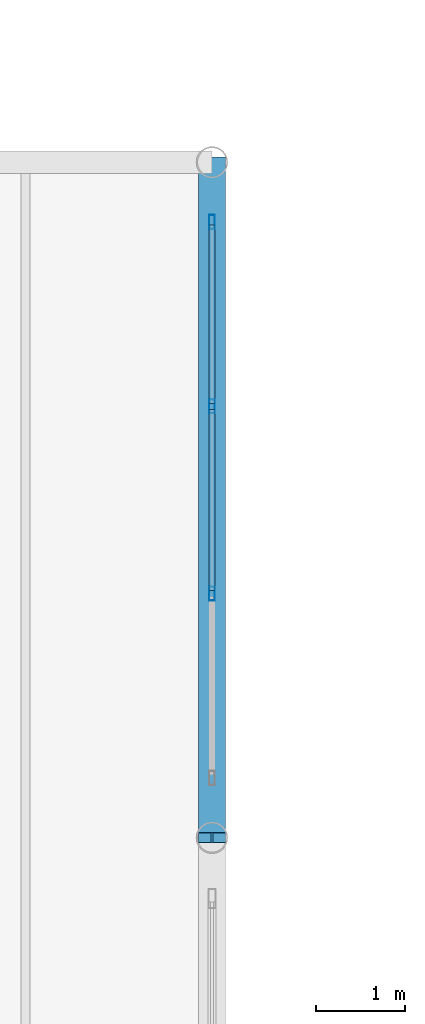
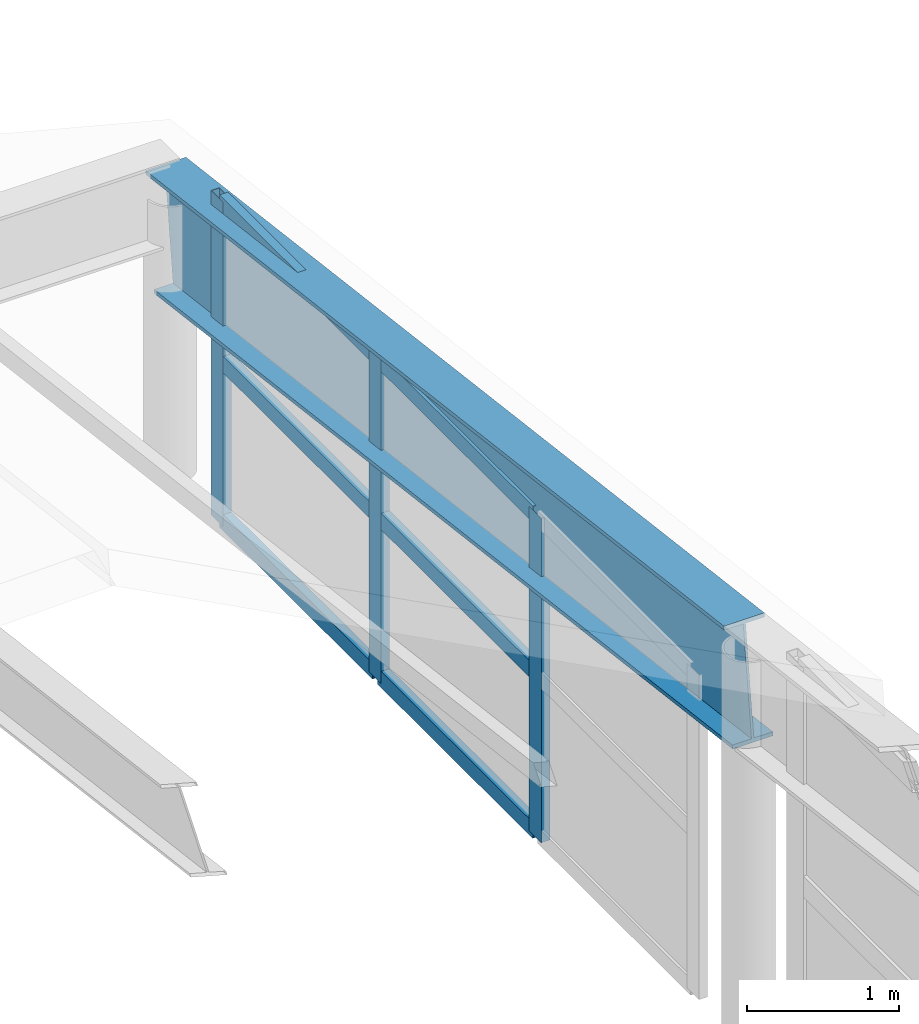
# One storey, part 9 of 14: 9 members, 1 beam, 1 element without a shape of its own.
"""IFC4 building model written with IfcOpenShell, lengths in metres."""

from ifc_helpers import new_model, si_unit, direction, frame, origin, origin_2d, place, context, subcontext, project, spatial, hollow_rectangle, i_section, extrude, material, layer, layer_set, material_profile, profile_set, type_object, element, aggregate, save


model = new_model("IFC4")

# Units and contexts
model_context = context("Model", 3, precision=1e-05, world=origin(), true_north=direction((0.0, 1.0)))
body_context = subcontext(model_context, "Body", "Model", "MODEL_VIEW")
ifc_project = project(units=[si_unit("LENGTHUNIT", "METRE"), si_unit("AREAUNIT", "SQUARE_METRE"), si_unit("VOLUMEUNIT", "CUBIC_METRE"), si_unit("PLANEANGLEUNIT", "RADIAN"), si_unit("MASSUNIT", "GRAM", prefix="KILO")], contexts=[model_context])

# Site, building, storey
site_placement = place(None, origin())
site = spatial("IfcSite", under=ifc_project, at=site_placement, CompositionType="ELEMENT")
building_placement = place(site_placement, origin())
building = spatial("IfcBuilding", under=site, at=building_placement, Name="Xicomal Pleat Aquarium", CompositionType="ELEMENT")
storey_placement = place(building_placement, frame((0.0, 0.0, 24.0)))
storey = spatial("IfcBuildingStorey", under=building, at=storey_placement, Name="RF", CompositionType="ELEMENT", Elevation=24.0)

# Beam
ifc_material_1 = material(Name="Structural steel A992 Gr 50", Category="steel")
ifc_material_profile_1 = material_profile(ifc_material_1, i_section(OverallWidth=0.306884765625, OverallDepth=0.923095703125, WebThickness=0.018310546875, FlangeThickness=0.030029296875, at=origin_2d()), Name="IR 920x271")
ifc_profile_set_1 = profile_set([ifc_material_profile_1], Name="Structural steel A992 Gr 50")
beam_type = type_object("IfcBeamType", Name="BM-STL-IR920", PredefinedType="BEAM", material=ifc_profile_set_1)
beam_placement = place(storey_placement, frame((35.39990234375, 30.39990234375, 2.904052734375), z_axis=(0.0, 0.992212029696, -0.124560379443), x_axis=(-1.0, 0.0, 0.0)))
element("IfcBeam", 1, at=beam_placement, inside=storey, type_object=beam_type, Name="RF pleated canopy girder 05-BCK2", PredefinedType="BEAM", context=body_context, shape_type="SweptSolid", body=[
    extrude(i_section(OverallWidth=0.306884765625, OverallDepth=0.923095703125, WebThickness=0.018310546875, FlangeThickness=0.030029296875, at=origin_2d()), origin(), (0.0, 0.0, 1.0), 7.65966796875),
])

# Curtain wall, members
ifc_material_2 = material(Name="Bronze anodized aluminium 6063-T6", Category="aluminium")
ifc_layer = layer(ifc_material_2, 0.159912109375)
ifc_layer_set = layer_set([ifc_layer], Name="Bronze anodized aluminium 6063-T6")
curtain_wall_type = type_object("IfcCurtainWallType", Name="CW-SYS-03", PredefinedType="NOTDEFINED", material=ifc_layer_set)
curtain_wall_placement = place(storey_placement, origin())
curtain_wall = element("IfcCurtainWall", 2, at=curtain_wall_placement, inside=storey, type_object=curtain_wall_type, Name="RF pleated crown clerestory curtain wall CW-RF-06", PredefinedType="NOTDEFINED")
ifc_material_3 = material(Name="Bronze anodized aluminium 6063-T6", Category="aluminium")
ifc_material_profile_2 = material_profile(ifc_material_3, hollow_rectangle(XDim=0.06494140625, YDim=0.159912109375, WallThickness=0.00390625, at=origin_2d()), Name="ALU MULL 65x160")
ifc_profile_set_2 = profile_set([ifc_material_profile_2], Name="Bronze anodized aluminium 6063-T6")
member_type_1 = type_object("IfcMemberType", Name="CWM-65x160", PredefinedType="MULLION", material=ifc_profile_set_2)
member_1_placement = place(storey_placement, frame((35.39990234375, 33.146728515625, 0.0), z_axis=(0.0, 0.0, 1.0), x_axis=(-1.0, 0.0, 0.0)))
member_1 = element("IfcMember", 3, at=member_1_placement, type_object=member_type_1, Name="CW-03 mullion 2", PredefinedType="MULLION", context=body_context, shape_type="SweptSolid", body=[
    extrude(hollow_rectangle(XDim=0.06494140625, YDim=0.159912109375, WallThickness=0.00390625, at=origin_2d()), origin(), (0.0, 0.0, 1.0), 2.60009765625),
])
member_2_placement = place(storey_placement, frame((35.39990234375, 35.25341796875, 0.0), z_axis=(0.0, 0.0, 1.0), x_axis=(-1.0, 0.0, 0.0)))
member_2 = element("IfcMember", 4, at=member_2_placement, type_object=member_type_1, Name="CW-03 mullion 3", PredefinedType="MULLION", context=body_context, shape_type="SweptSolid", body=[
    extrude(hollow_rectangle(XDim=0.06494140625, YDim=0.159912109375, WallThickness=0.00390625, at=origin_2d()), origin(), (0.0, 0.0, 1.0), 2.60009765625),
])
member_3_placement = place(storey_placement, frame((35.39990234375, 37.327392578125, 0.0), z_axis=(0.0, 0.0, 1.0), x_axis=(-1.0, 0.0, 0.0)))
member_3 = element("IfcMember", 5, at=member_3_placement, type_object=member_type_1, Name="CW-03 mullion 4", PredefinedType="MULLION", context=body_context, shape_type="SweptSolid", body=[
    extrude(hollow_rectangle(XDim=0.06494140625, YDim=0.159912109375, WallThickness=0.00390625, at=origin_2d()), origin(), (0.0, 0.0, 1.0), 2.60009765625),
])
ifc_material_4 = material(Name="Bronze anodized aluminium 6063-T6", Category="aluminium")
ifc_material_profile_3 = material_profile(ifc_material_4, hollow_rectangle(XDim=0.06494140625, YDim=0.1298828125, WallThickness=0.00390625, at=origin_2d()), Name="ALU TRAN 65x130")
ifc_profile_set_3 = profile_set([ifc_material_profile_3], Name="Bronze anodized aluminium 6063-T6")
member_type_2 = type_object("IfcMemberType", Name="CWT-65x130", PredefinedType="USERDEFINED", material=ifc_profile_set_3)
member_4_placement = place(storey_placement, frame((35.39990234375, 33.17919921875, 0.032470703125), z_axis=(0.0, 1.0, 0.0), x_axis=(-1.0, 0.0, 0.0)))
member_4 = element("IfcMember", 6, at=member_4_placement, type_object=member_type_2, Name="CW-03 transom 2.1", ObjectType="TRANSOM", PredefinedType="USERDEFINED", context=body_context, shape_type="SweptSolid", body=[
    extrude(hollow_rectangle(XDim=0.06494140625, YDim=0.1298828125, WallThickness=0.00390625, at=origin_2d()), origin(), (0.0, 0.0, 1.0), 2.04150390625),
])
member_5_placement = place(storey_placement, frame((35.39990234375, 33.17919921875, 1.300048828125), z_axis=(0.0, 1.0, 0.0), x_axis=(-1.0, 0.0, 0.0)))
member_5 = element("IfcMember", 7, at=member_5_placement, type_object=member_type_2, Name="CW-03 transom 2.2", ObjectType="TRANSOM", PredefinedType="USERDEFINED", context=body_context, shape_type="SweptSolid", body=[
    extrude(hollow_rectangle(XDim=0.06494140625, YDim=0.1298828125, WallThickness=0.00390625, at=origin_2d()), origin(), (0.0, 0.0, 1.0), 2.04150390625),
])
member_6_placement = place(storey_placement, frame((35.39990234375, 33.17919921875, 2.5673828125), z_axis=(0.0, 1.0, 0.0), x_axis=(-1.0, 0.0, 0.0)))
member_6 = element("IfcMember", 8, at=member_6_placement, type_object=member_type_2, Name="CW-03 transom 2.3", ObjectType="TRANSOM", PredefinedType="USERDEFINED", context=body_context, shape_type="SweptSolid", body=[
    extrude(hollow_rectangle(XDim=0.06494140625, YDim=0.1298828125, WallThickness=0.00390625, at=origin_2d()), origin(), (0.0, 0.0, 1.0), 2.04150390625),
])
member_7_placement = place(storey_placement, frame((35.39990234375, 35.285888671875, 0.032470703125), z_axis=(0.0, 1.0, 0.0), x_axis=(-1.0, 0.0, 0.0)))
member_7 = element("IfcMember", 9, at=member_7_placement, type_object=member_type_2, Name="CW-03 transom 3.1", ObjectType="TRANSOM", PredefinedType="USERDEFINED", context=body_context, shape_type="SweptSolid", body=[
    extrude(hollow_rectangle(XDim=0.06494140625, YDim=0.1298828125, WallThickness=0.00390625, at=origin_2d()), origin(), (0.0, 0.0, 1.0), 2.009033203125),
])
member_8_placement = place(storey_placement, frame((35.39990234375, 35.285888671875, 1.300048828125), z_axis=(0.0, 1.0, 0.0), x_axis=(-1.0, 0.0, 0.0)))
member_8 = element("IfcMember", 10, at=member_8_placement, type_object=member_type_2, Name="CW-03 transom 3.2", ObjectType="TRANSOM", PredefinedType="USERDEFINED", context=body_context, shape_type="SweptSolid", body=[
    extrude(hollow_rectangle(XDim=0.06494140625, YDim=0.1298828125, WallThickness=0.00390625, at=origin_2d()), origin(), (0.0, 0.0, 1.0), 2.009033203125),
])
member_9_placement = place(storey_placement, frame((35.39990234375, 35.285888671875, 2.5673828125), z_axis=(0.0, 1.0, 0.0), x_axis=(-1.0, 0.0, 0.0)))
member_9 = element("IfcMember", 11, at=member_9_placement, type_object=member_type_2, Name="CW-03 transom 3.3", ObjectType="TRANSOM", PredefinedType="USERDEFINED", context=body_context, shape_type="SweptSolid", body=[
    extrude(hollow_rectangle(XDim=0.06494140625, YDim=0.1298828125, WallThickness=0.00390625, at=origin_2d()), origin(), (0.0, 0.0, 1.0), 2.009033203125),
])
aggregate(curtain_wall, [member_1, member_2, member_3, member_4, member_5, member_6, member_7, member_8, member_9])

save(model, "model.ifc")
